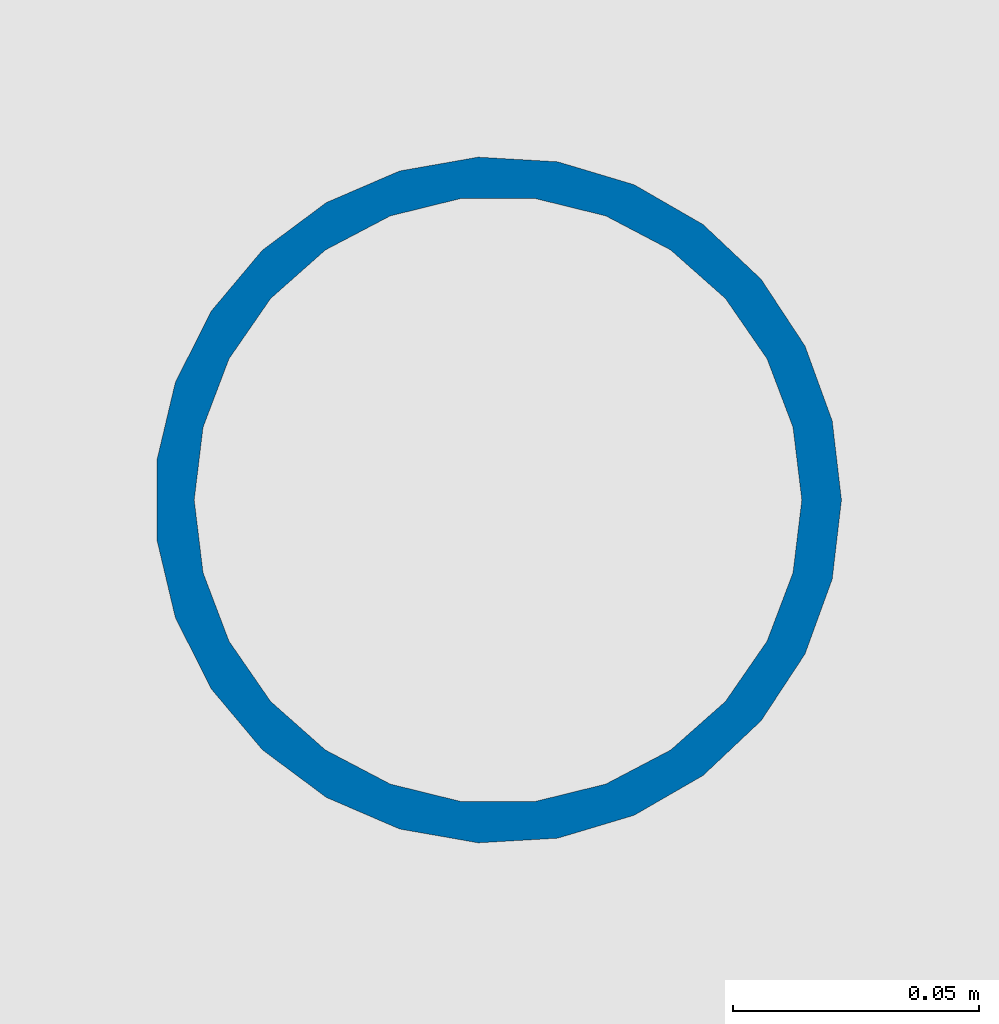
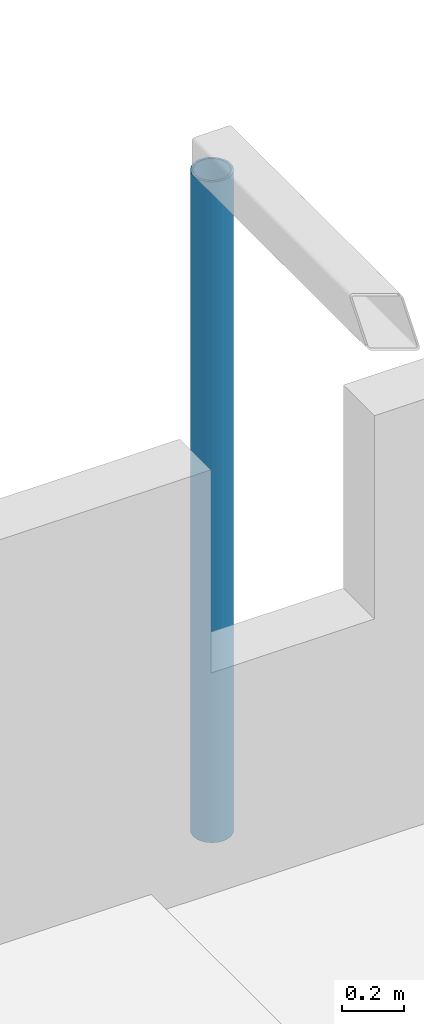
# One storey, part 12 of 153: 1 column.
"""IFC4 building model written with IfcOpenShell, lengths in metres."""

from ifc_helpers import new_model, si_unit, direction, frame, origin, origin_2d, place, context, subcontext, project, spatial, hollow_circle, extrude, material, material_profile, profile_set, type_object, element, save


model = new_model("IFC4")

# Units and contexts
model_context = context("Model", 3, precision=1e-05, world=origin(), true_north=direction((0.0, 1.0)))
body_context = subcontext(model_context, "Body", "Model", "MODEL_VIEW")
ifc_project = project(units=[si_unit("LENGTHUNIT", "METRE"), si_unit("AREAUNIT", "SQUARE_METRE"), si_unit("VOLUMEUNIT", "CUBIC_METRE"), si_unit("PLANEANGLEUNIT", "RADIAN"), si_unit("MASSUNIT", "GRAM", prefix="KILO")], contexts=[model_context])

# Site, building, storey
site_placement = place(None, origin())
site = spatial("IfcSite", under=ifc_project, at=site_placement, CompositionType="ELEMENT")
building_placement = place(site_placement, origin())
building = spatial("IfcBuilding", under=site, at=building_placement, Name="Baradari Gate Terminus", CompositionType="ELEMENT")
storey_placement = place(building_placement, frame((0.0, 0.0, 11.699951171875)))
storey = spatial("IfcBuildingStorey", under=building, at=storey_placement, Name="L02", CompositionType="ELEMENT", Elevation=11.699951171875)

# Column
ifc_material = material(Name="Steel S355", Category="steel")
ifc_material_profile = material_profile(ifc_material, hollow_circle(Radius=0.06982421875, WallThickness=0.008056640625, at=origin_2d()), Name="CHS 139.7x8")
ifc_profile_set = profile_set([ifc_material_profile], Name="Steel S355")
column_type = type_object("IfcColumnType", Name="Pergola post CHS 139.7x8", PredefinedType="COLUMN", material=ifc_profile_set)
column_placement = place(storey_placement, frame((99.0, 108.0, 0.0), z_axis=(0.0, 0.0, 1.0), x_axis=(1.0, 0.0, 0.0)))
element("IfcColumn", 1, at=column_placement, inside=storey, type_object=column_type, Name="RF/L02/PGW2-PGC3", PredefinedType="COLUMN", context=body_context, shape_type="SweptSolid", body=[
    extrude(hollow_circle(Radius=0.06982421875, WallThickness=0.008056640625, at=origin_2d()), origin(), (0.0, 0.0, 1.0), 2.60009765625),
])

save(model, "model.ifc")
